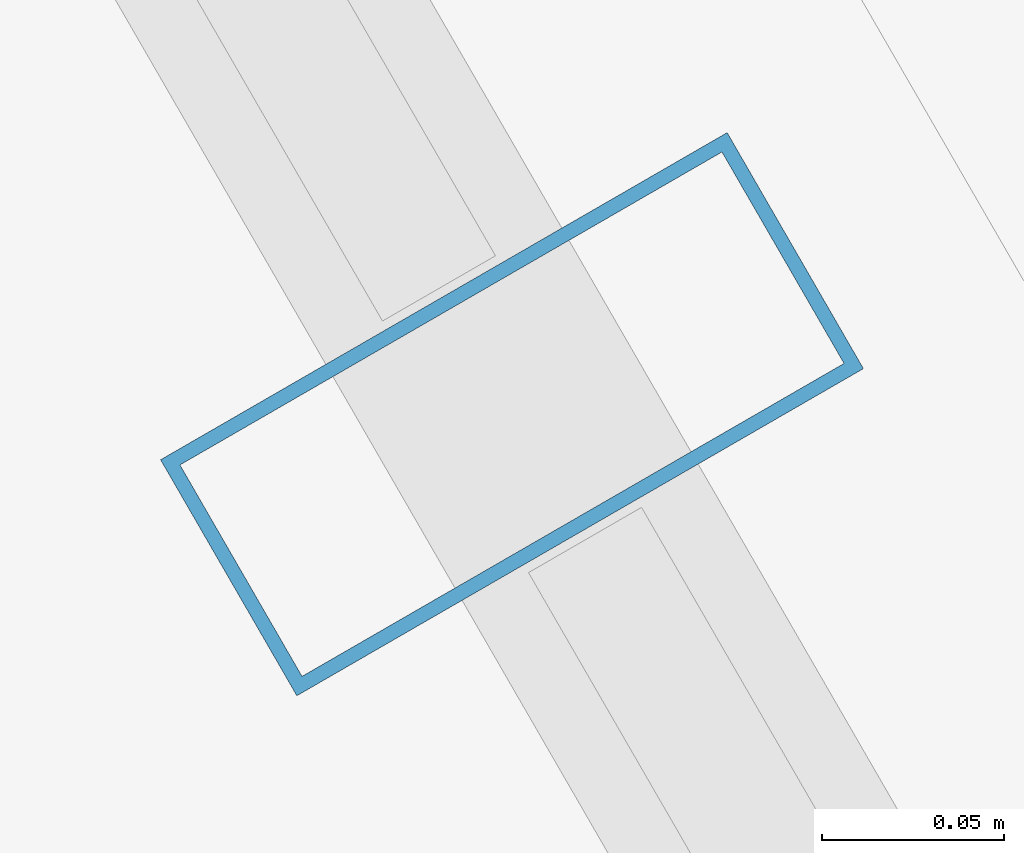
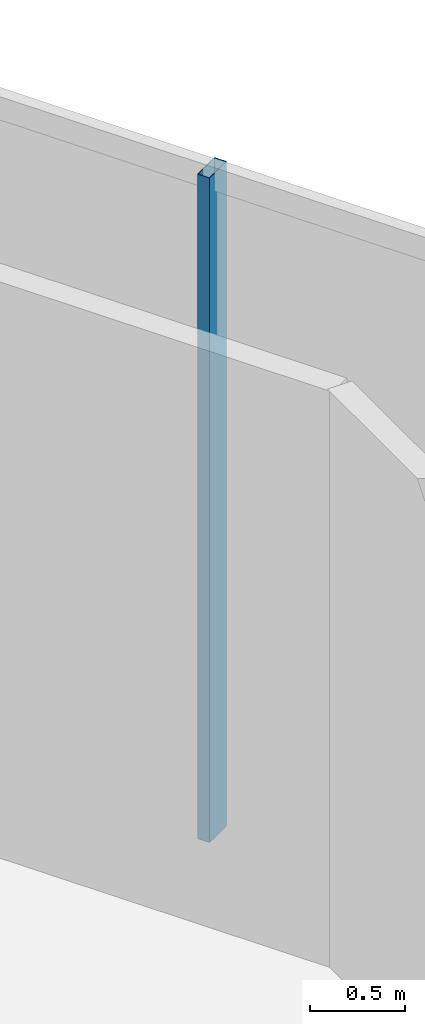
# One storey, part 20 of 32: 1 member, 1 element without a shape of its own.
"""IFC4 building model written with IfcOpenShell, lengths in metres."""

import ifcopenshell
import ifcopenshell.guid

model = None  # the IFC model being written
_history = None  # IfcOwnerHistory: only IFC2X3 demands one
_inside = {}  # id of a spatial element -> (the spatial element, [elements in it])
_under = {}  # id of a project, library or spatial element -> (it, [spatial elements below it])
_declared = {}  # id of a project -> (the project, [libraries it declares])
_typed = {}  # id of a type object -> (the type object, [elements of that type])
_made_of = {}  # id of a material, layer set ... -> (it, [elements and type objects made of it])


def new_model(schema):
    """Start an empty IFC model of exactly this schema.

    Asked for "IFC4X3", IfcOpenShell would pick the latest addendum, in which some entities
    have other attributes; the version numbers below select the first issue.
    IFC2X3 requires an IfcOwnerHistory on every rooted entity: one is made here for all.
    """
    global model, _history
    if schema == "IFC4X3":
        model = ifcopenshell.file(schema_version=(4, 3, 0, 0))
    else:
        model = ifcopenshell.file(schema=schema)
    _inside.clear()
    _under.clear()
    _declared.clear()
    _typed.clear()
    _made_of.clear()
    _history = None
    if model.schema == "IFC2X3":
        org = make("IfcOrganization", Name="unknown")
        user = make(
            "IfcPersonAndOrganization",
            ThePerson=make("IfcPerson", FamilyName="unknown"),
            TheOrganization=org,
        )
        app = make(
            "IfcApplication",
            ApplicationDeveloper=org,
            Version="unknown",
            ApplicationFullName="unknown",
            ApplicationIdentifier="unknown",
        )
        _history = make(
            "IfcOwnerHistory",
            OwningUser=user,
            OwningApplication=app,
            ChangeAction="ADDED",
            CreationDate=0,
        )
    return model


def make(cls, **values):
    """One entity of the class cls with the attributes given. An attribute that is None is left unset."""
    return model.create_entity(
        cls, **{name: value for name, value in values.items() if value is not None}
    )


def rooted(cls, **values):
    """An entity with a GlobalId (a new one), such as an element, a storey or a relation."""
    return make(cls, GlobalId=ifcopenshell.guid.new(), OwnerHistory=_history, **values)


def si_unit(unit_type, name, prefix=None):
    """IfcSIUnit, for example si_unit("LENGTHUNIT", "METRE", prefix="MILLI")."""
    return make("IfcSIUnit", UnitType=unit_type, Prefix=prefix, Name=name)


def assignment(units):
    """IfcUnitAssignment: the units of a project."""
    return None if units is None else make("IfcUnitAssignment", Units=units)


def point(xyz):
    """IfcCartesianPoint."""
    return None if xyz is None else make("IfcCartesianPoint", Coordinates=xyz)


def direction(xyz):
    """IfcDirection."""
    return None if xyz is None else make("IfcDirection", DirectionRatios=xyz)


def frame(location, z_axis=None, x_axis=None):
    """IfcAxis2Placement3D, a coordinate frame: its origin and axes. An axis left out is left unset."""
    return make(
        "IfcAxis2Placement3D",
        Location=point(location),
        Axis=direction(z_axis),
        RefDirection=direction(x_axis),
    )


def frame_2d(location, x_axis=None):
    """IfcAxis2Placement2D, a coordinate frame in the plane: its origin and x axis."""
    return make(
        "IfcAxis2Placement2D", Location=point(location), RefDirection=direction(x_axis)
    )


def origin():
    """The frame at (0, 0, 0) with its axes left unset."""
    return frame((0.0, 0.0, 0.0))


def origin_2d():
    """The frame at (0, 0) in the plane with its x axis left unset."""
    return frame_2d((0.0, 0.0))


def place(relative_to, where):
    """IfcLocalPlacement: puts the frame where relative to a parent placement (None: the world)."""
    return make(
        "IfcLocalPlacement", PlacementRelTo=relative_to, RelativePlacement=where
    )


def context(
    kind, dimensions, precision=None, world=None, true_north=None, identifier=None
):
    """IfcGeometricRepresentationContext, for example the 3D "Model" context."""
    return make(
        "IfcGeometricRepresentationContext",
        ContextIdentifier=identifier,
        ContextType=kind,
        CoordinateSpaceDimension=dimensions,
        Precision=precision,
        WorldCoordinateSystem=world,
        TrueNorth=true_north,
    )


def subcontext(parent, identifier, kind, view, scale=None):
    """IfcGeometricRepresentationSubContext, for example "Body" below "Model"."""
    return make(
        "IfcGeometricRepresentationSubContext",
        ContextIdentifier=identifier,
        ContextType=kind,
        ParentContext=parent,
        TargetScale=scale,
        TargetView=view,
    )


def project(units=None, contexts=None):
    """IfcProject with its units and contexts."""
    return rooted(
        "IfcProject",
        Name="project",
        RepresentationContexts=contexts,
        UnitsInContext=assignment(units),
    )


def spatial(cls, under=None, at=None, **own):
    """A site, building, storey or space (cls), placed at a placement, below another one or the project."""
    s = rooted(cls, ObjectPlacement=at, **own)
    if under is not None:
        _under.setdefault(under.id(), (under, []))[1].append(s)
    return s


def profile(cls, at=None, kind="AREA", **sizes):
    """A parametric profile (cls). Its sizes go by their IFC names, for example OverallWidth=200.0."""
    return make(cls, ProfileType=kind, Position=at, **sizes)


def hollow_rectangle(**sizes):
    """IfcRectangleHollowProfileDef."""
    return profile("IfcRectangleHollowProfileDef", **sizes)


def extrude(swept, where, along, depth):
    """IfcExtrudedAreaSolid: the profile swept, set in the frame where, extruded along a direction by depth."""
    return make(
        "IfcExtrudedAreaSolid",
        SweptArea=swept,
        Position=where,
        ExtrudedDirection=direction(along),
        Depth=depth,
    )


def shape(context_of_items, identifier, shape_type, items):
    """IfcShapeRepresentation: the items that make up one representation, for example the "Body"."""
    return make(
        "IfcShapeRepresentation",
        ContextOfItems=context_of_items,
        RepresentationIdentifier=identifier,
        RepresentationType=shape_type,
        Items=items,
    )


def material(Name=None, Category=None):
    """IfcMaterial."""
    return make("IfcMaterial", Name=Name, Category=Category)


def layer(
    of_material, thickness, ventilated=None, Name=None, Category=None, Priority=None
):
    """IfcMaterialLayer: one layer of a wall or slab, of a material (None: an air gap)."""
    return make(
        "IfcMaterialLayer",
        Material=of_material,
        LayerThickness=thickness,
        IsVentilated=ventilated,
        Name=Name,
        Category=Category,
        Priority=Priority,
    )


def layer_set(layers, Name=None):
    """IfcMaterialLayerSet."""
    return make("IfcMaterialLayerSet", MaterialLayers=layers, LayerSetName=Name)


def material_profile(
    of_material, cross_section, Name=None, Category=None, Priority=None
):
    """IfcMaterialProfile: a cross section and its material."""
    return make(
        "IfcMaterialProfile",
        Name=Name,
        Material=of_material,
        Profile=cross_section,
        Priority=Priority,
        Category=Category,
    )


def profile_set(profiles, Name=None, composite=None):
    """IfcMaterialProfileSet."""
    return make(
        "IfcMaterialProfileSet",
        Name=Name,
        MaterialProfiles=profiles,
        CompositeProfile=composite,
    )


def made_of(thing, what):
    """Note that an element or type object is made of a material, layer set ...; save() writes the relation."""
    if what is not None:
        _made_of.setdefault(what.id(), (what, []))[1].append(thing)
    return thing


def type_object(cls, material=None, **own):
    """A type object (cls), such as IfcWallType, which elements share."""
    return made_of(rooted(cls, **own), material)


def element(
    cls,
    number,
    at=None,
    inside=None,
    cuts=None,
    type_object=None,
    material=None,
    context=None,
    identifier="Body",
    shape_type=None,
    held_by="IfcProductDefinitionShape",
    body=None,
    shapes=None,
    **own,
):
    """One element of the class cls, such as IfcWall. Its Tag is "e" and its number.

    at: its placement. inside: the storey or other place that contains it. cuts: it is an
    opening in that element (IfcRelVoidsElement). A single representation is given by context,
    identifier, shape_type and body (its items); several are given by shapes. held_by: the class
    of the entity that holds the representations. save() writes the other relations.
    """
    e = rooted(cls, Tag="e%d" % number, ObjectPlacement=at, **own)
    if body is not None:
        shapes = [shape(context, identifier, shape_type, body)]
    if shapes is not None:
        e.Representation = make(held_by, Representations=shapes)
    if inside is not None:
        _inside.setdefault(inside.id(), (inside, []))[1].append(e)
    if cuts is not None:
        rooted(
            "IfcRelVoidsElement", RelatingBuildingElement=cuts, RelatedOpeningElement=e
        )
    if type_object is not None:
        _typed.setdefault(type_object.id(), (type_object, []))[1].append(e)
    return made_of(e, material)


def aggregate(whole, parts):
    """IfcRelAggregates: a whole, such as a stair, and the parts it consists of."""
    return rooted("IfcRelAggregates", RelatingObject=whole, RelatedObjects=parts)


def save(model, path):
    """Write the relations noted so far, then the file.

    IfcRelAggregates (storeys below a building ...), IfcRelContainedInSpatialStructure (elements
    in a storey), IfcRelDefinesByType, IfcRelAssociatesMaterial and IfcRelDeclares: one each for
    every whole, place, type object, material and project.
    """
    for whole, parts in _under.values():
        aggregate(whole, parts)
    for where, things in _inside.values():
        rooted(
            "IfcRelContainedInSpatialStructure",
            RelatedElements=things,
            RelatingStructure=where,
        )
    for kind, things in _typed.values():
        rooted("IfcRelDefinesByType", RelatedObjects=things, RelatingType=kind)
    for what, things in _made_of.values():
        rooted("IfcRelAssociatesMaterial", RelatedObjects=things, RelatingMaterial=what)
    for by, libraries in _declared.values():
        rooted("IfcRelDeclares", RelatingContext=by, RelatedDefinitions=libraries)
    model.write(path)


model = new_model("IFC4")

# Units and contexts
model_context = context("Model", 3, precision=1e-05, world=origin(), true_north=direction((0.0, 1.0)))
body_context = subcontext(model_context, "Body", "Model", "MODEL_VIEW")
ifc_project = project(units=[si_unit("LENGTHUNIT", "METRE"), si_unit("AREAUNIT", "SQUARE_METRE"), si_unit("VOLUMEUNIT", "CUBIC_METRE"), si_unit("PLANEANGLEUNIT", "RADIAN"), si_unit("MASSUNIT", "GRAM", prefix="KILO")], contexts=[model_context])

# Site, building, storey
site_placement = place(None, origin())
site = spatial("IfcSite", under=ifc_project, at=site_placement, CompositionType="ELEMENT")
building_placement = place(site_placement, origin())
building = spatial("IfcBuilding", under=site, at=building_placement, Name="Ndaravel Arena Tower", CompositionType="ELEMENT")
storey_placement = place(building_placement, frame((0.0, 0.0, 278.800048828125)))
storey = spatial("IfcBuildingStorey", under=building, at=storey_placement, Name="L68", CompositionType="ELEMENT", Elevation=278.800048828125)

# Curtain wall, member
ifc_material_1 = material(Name="Aluminium", Category="aluminium")
ifc_layer = layer(ifc_material_1, 0.179931640625)
ifc_layer_set = layer_set([ifc_layer], Name="Aluminium")
curtain_wall_type = type_object("IfcCurtainWallType", Name="CW-SYS-03", PredefinedType="NOTDEFINED", material=ifc_layer_set)
curtain_wall_placement = place(storey_placement, origin())
curtain_wall = element("IfcCurtainWall", 1, at=curtain_wall_placement, inside=storey, type_object=curtain_wall_type, Name="L68 Faceted Crystal Curtain Wall CW-L68-E03", PredefinedType="NOTDEFINED")
ifc_material_2 = material(Name="Aluminium", Category="aluminium")
ifc_material_profile = material_profile(ifc_material_2, hollow_rectangle(XDim=0.074951171875, YDim=0.179931640625, WallThickness=0.00390625, at=origin_2d()), Name="CW MULLION 75x180x4")
ifc_profile_set = profile_set([ifc_material_profile], Name="Aluminium")
member_type = type_object("IfcMemberType", Name="MEM-CW-MUL180", PredefinedType="MULLION", material=ifc_profile_set)
member_placement = place(storey_placement, frame((48.809326171875, 36.2099609375, 0.0), z_axis=(0.0, 0.0, 1.0), x_axis=(-0.5, 0.866025403784, 0.0)))
member = element("IfcMember", 2, at=member_placement, type_object=member_type, Name="CW-L68-E03 Mullion 07", PredefinedType="MULLION", context=body_context, shape_type="SweptSolid", body=[
    extrude(hollow_rectangle(XDim=0.074951171875, YDim=0.179931640625, WallThickness=0.00390625, at=origin_2d()), origin(), (0.0, 0.0, 1.0), 4.280029296875),
])
aggregate(curtain_wall, [member])

save(model, "model.ifc")
